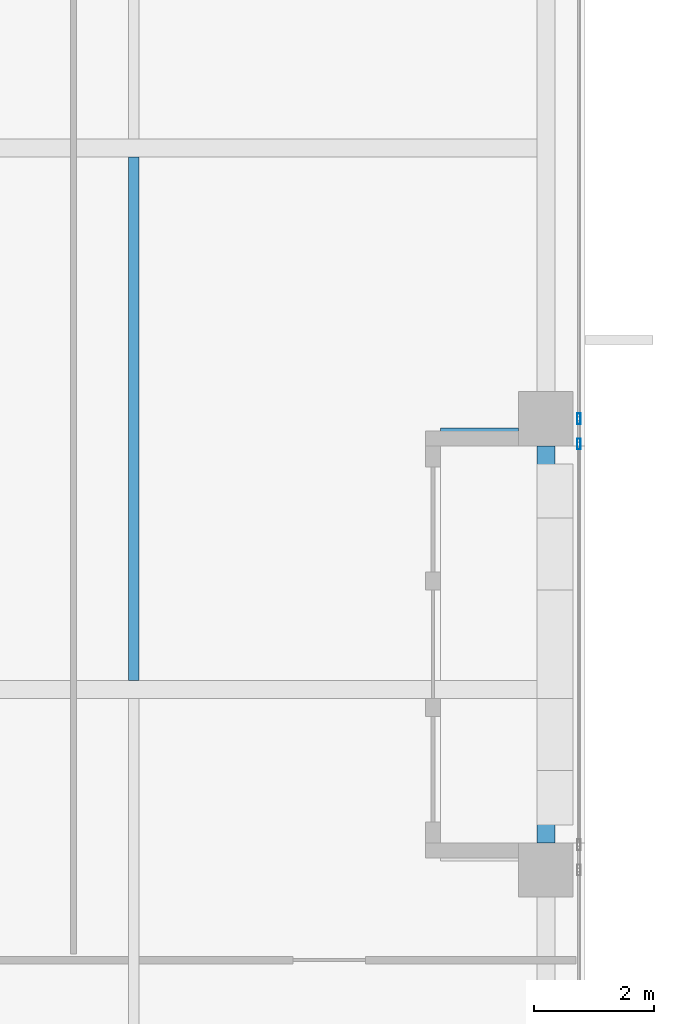
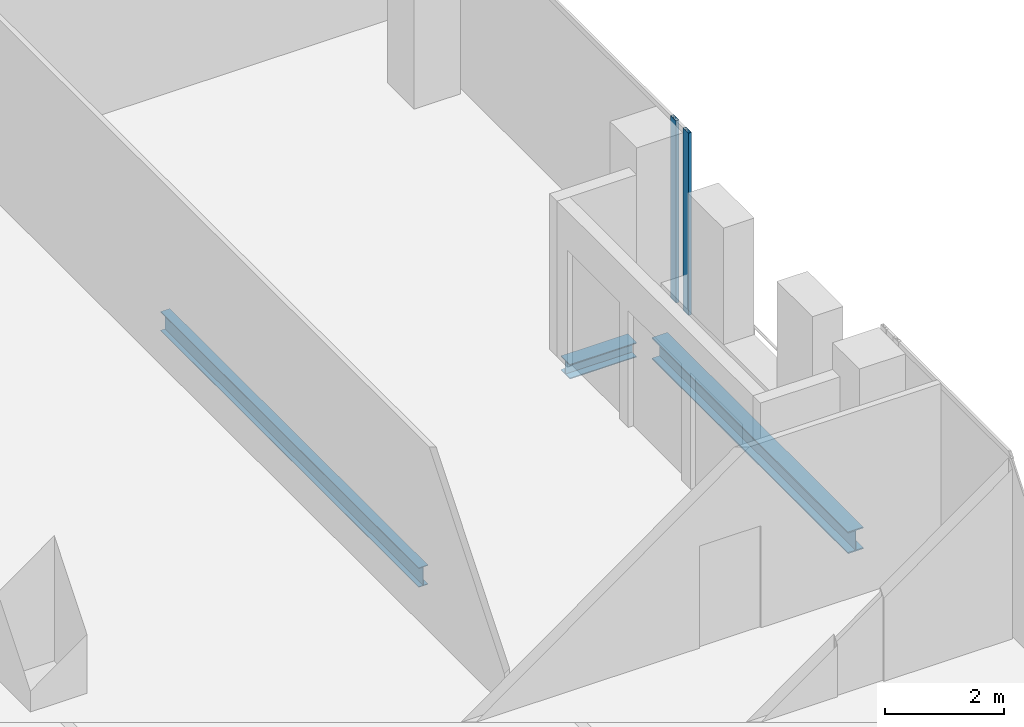
# One storey, part 13 of 36: 3 beams, 2 members, 1 element without a shape of its own.
"""IFC4 building model written with IfcOpenShell, lengths in metres."""

from ifc_helpers import new_model, si_unit, direction, frame, origin, origin_2d, place, context, subcontext, project, spatial, hollow_rectangle, i_section, extrude, source, transform, mapped, material, material_profile, profile_set, type_object, element, aggregate, save


model = new_model("IFC4")

# Units and contexts
model_context = context("Model", 3, precision=1e-05, world=origin(), true_north=direction((0.0, 1.0)))
body_context = subcontext(model_context, "Body", "Model", "MODEL_VIEW")
ifc_project = project(units=[si_unit("LENGTHUNIT", "METRE"), si_unit("AREAUNIT", "SQUARE_METRE"), si_unit("VOLUMEUNIT", "CUBIC_METRE"), si_unit("PLANEANGLEUNIT", "RADIAN"), si_unit("MASSUNIT", "GRAM", prefix="KILO")], contexts=[model_context])

# Site, building, storey
site_placement = place(None, origin())
site = spatial("IfcSite", under=ifc_project, at=site_placement, CompositionType="ELEMENT")
building_placement = place(site_placement, origin())
building = spatial("IfcBuilding", under=site, at=building_placement, Name="Khomas Fold Tower", CompositionType="ELEMENT")
storey_placement = place(building_placement, frame((0.0, 0.0, 226.199951171875)))
storey = spatial("IfcBuildingStorey", under=building, at=storey_placement, Name="L50", CompositionType="ELEMENT", Elevation=226.199951171875)

# Beams
ifc_material_1 = material(Name="Steel S355", Category="steel")
ifc_material_profile_1 = material_profile(ifc_material_1, i_section(OverallWidth=0.179931640625, OverallDepth=0.39990234375, WebThickness=0.008544921875, FlangeThickness=0.013427734375, at=origin_2d()), Name="IPE 400")
ifc_profile_set_1 = profile_set([ifc_material_profile_1], Name="Steel S355")
beam_type_1 = type_object("IfcBeamType", Name="IPE 400 beam JB3", PredefinedType="BEAM", material=ifc_profile_set_1)
shared_shape_1 = source(origin(), body_context, "Body", "SweptSolid", [
    extrude(i_section(OverallWidth=0.179931640625, OverallDepth=0.39990234375, WebThickness=0.008544921875, FlangeThickness=0.013427734375, at=origin_2d()), origin(), (0.0, 0.0, 1.0), 8.7001953125),
])
beam_1_placement = place(storey_placement, frame((42.0, 22.64990234375, -0.449951171875), z_axis=(0.0, 1.0, 0.0), x_axis=(-1.0, 0.0, 0.0)))
element("IfcBeam", 1, at=beam_1_placement, inside=storey, type_object=beam_type_1, Name="JB3", PredefinedType="BEAM", context=body_context, shape_type="MappedRepresentation", body=[
    mapped(shared_shape_1, transform((0.0, 0.0, 0.0))),
])
ifc_material_2 = material(Name="Steel S355", Category="steel")
ifc_material_profile_2 = material_profile(ifc_material_2, i_section(OverallWidth=0.300048828125, OverallDepth=0.449951171875, WebThickness=0.013916015625, FlangeThickness=0.02587890625, at=origin_2d()), Name="HE 450 B")
ifc_profile_set_2 = profile_set([ifc_material_profile_2], Name="Steel S355")
beam_type_2 = type_object("IfcBeamType", Name="HE 450 B spandrel SB4", PredefinedType="SPANDREL", material=ifc_profile_set_2)
shared_shape_2 = source(origin(), body_context, "Body", "SweptSolid", [
    extrude(i_section(OverallWidth=0.300048828125, OverallDepth=0.449951171875, WebThickness=0.013916015625, FlangeThickness=0.02587890625, at=origin_2d()), origin(), (0.0, 0.0, 1.0), 6.60009765625),
])
beam_2_placement = place(storey_placement, frame((48.85009765625, 19.949951171875, -0.474853515625), z_axis=(0.0, 1.0, 0.0), x_axis=(-1.0, 0.0, 0.0)))
element("IfcBeam", 2, at=beam_2_placement, inside=storey, type_object=beam_type_2, Name="SB4", PredefinedType="SPANDREL", context=body_context, shape_type="MappedRepresentation", body=[
    mapped(shared_shape_2, transform((0.0, 0.0, 0.0))),
])
ifc_material_3 = material(Name="Steel S355", Category="steel")
ifc_material_profile_3 = material_profile(ifc_material_3, i_section(OverallWidth=0.300048828125, OverallDepth=0.300048828125, WebThickness=0.010986328125, FlangeThickness=0.01904296875, at=origin_2d()), Name="HE 300 B")
ifc_profile_set_3 = profile_set([ifc_material_profile_3], Name="Steel S355")
beam_type_3 = type_object("IfcBeamType", Name="HE 300 B beam BB1", PredefinedType="BEAM", material=ifc_profile_set_3)
shared_shape_3 = source(origin(), body_context, "Body", "SweptSolid", [
    extrude(i_section(OverallWidth=0.300048828125, OverallDepth=0.300048828125, WebThickness=0.010986328125, FlangeThickness=0.01904296875, at=origin_2d()), origin(), (0.0, 0.0, 1.0), 1.2998046875),
])
beam_3_placement = place(storey_placement, frame((47.10009765625, 26.699951171875, -0.39990234375), z_axis=(1.0, 0.0, 0.0), x_axis=(0.0, 1.0, 0.0)))
element("IfcBeam", 3, at=beam_3_placement, inside=storey, type_object=beam_type_3, Name="BB1", PredefinedType="BEAM", context=body_context, shape_type="MappedRepresentation", body=[
    mapped(shared_shape_3, transform((0.0, 0.0, 0.0))),
])

# Curtain wall, members
ifc_material_4 = material(Name="Aluminium framed double glazing", Category="aluminium")
curtain_wall_type = type_object("IfcCurtainWallType", Name="SK-Unitised clear-glass wall, office floors CW2", PredefinedType="NOTDEFINED", material=ifc_material_4)
curtain_wall_placement = place(storey_placement, origin())
curtain_wall = element("IfcCurtainWall", 4, at=curtain_wall_placement, inside=storey, type_object=curtain_wall_type, Name="CW2 run L50 03-1", PredefinedType="NOTDEFINED")
ifc_material_5 = material(Name="Aluminium", Category="aluminium")
ifc_material_profile_4 = material_profile(ifc_material_5, hollow_rectangle(XDim=0.06005859375, YDim=0.179931640625, WallThickness=0.00390625, at=origin_2d()), Name="SK-Unitised clear-glass wall, office floors mullion CW2-M")
ifc_profile_set_4 = profile_set([ifc_material_profile_4], Name="Aluminium")
member_type = type_object("IfcMemberType", Name="SK-Unitised clear-glass wall, office floors mullion CW2-M", PredefinedType="MULLION", material=ifc_profile_set_4)
shared_shape_4 = source(origin(), body_context, "Body", "SweptSolid", [
    extrude(hollow_rectangle(XDim=0.06005859375, YDim=0.179931640625, WallThickness=0.00390625, at=origin_2d()), origin(), (0.0, 0.0, 1.0), 3.75),
])
member_1_placement = place(storey_placement, frame((49.39990234375, 26.580078125, 0.0), z_axis=(0.0, 0.0, 1.0), x_axis=(-1.0, 0.0, 0.0)))
member_1 = element("IfcMember", 5, at=member_1_placement, type_object=member_type, Name="CW2 mullion 1", PredefinedType="MULLION", context=body_context, shape_type="MappedRepresentation", body=[
    mapped(shared_shape_4, transform((0.0, 0.0, 0.0))),
])
member_2_placement = place(storey_placement, frame((49.39990234375, 27.0, 0.0), z_axis=(0.0, 0.0, 1.0), x_axis=(-1.0, 0.0, 0.0)))
member_2 = element("IfcMember", 6, at=member_2_placement, type_object=member_type, Name="CW2 mullion 2", PredefinedType="MULLION", context=body_context, shape_type="MappedRepresentation", body=[
    mapped(shared_shape_4, transform((0.0, 0.0, 0.0))),
])
aggregate(curtain_wall, [member_1, member_2])

save(model, "model.ifc")
